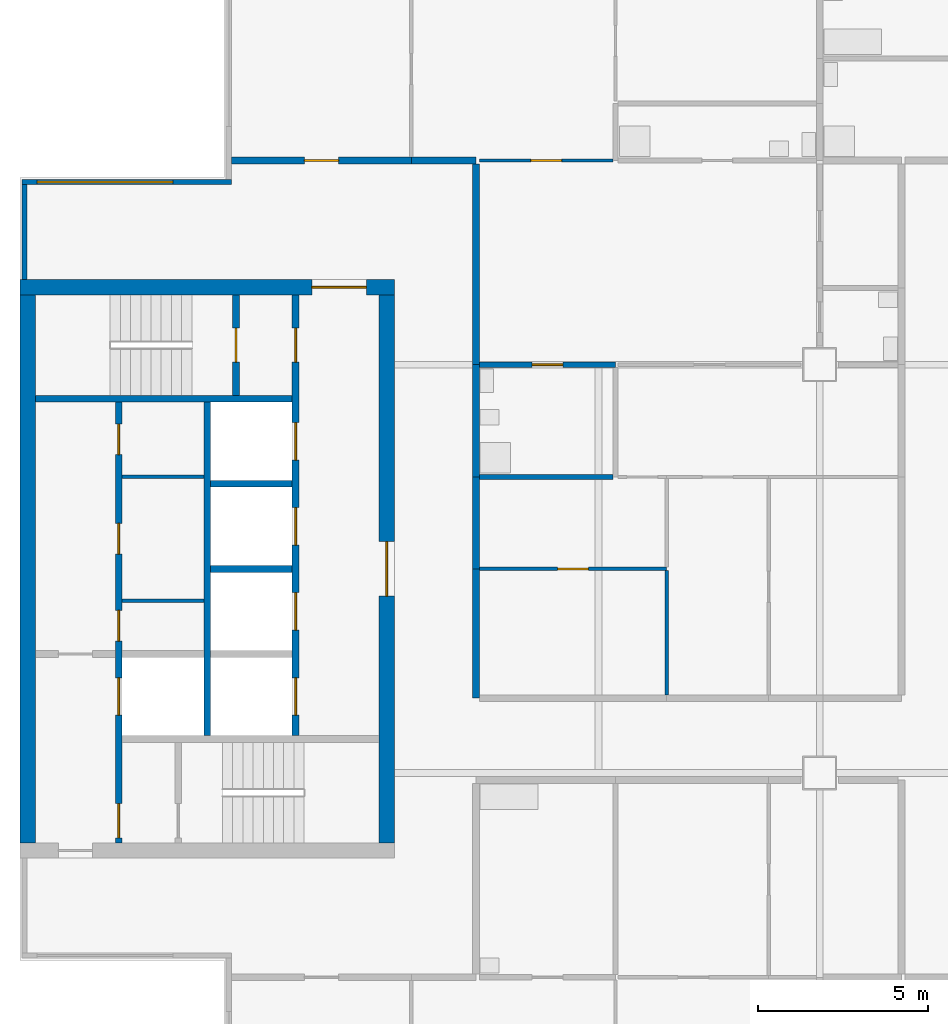
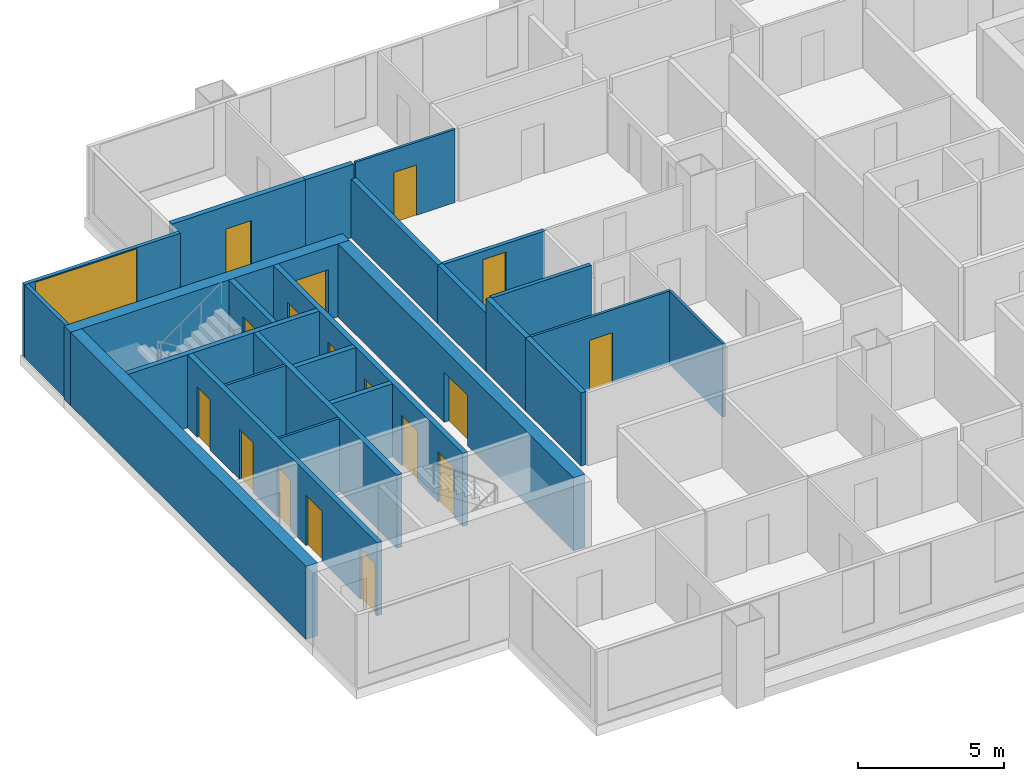
# One storey, part 3 of 9: 25 walls, 17 doors, 1 window, 18 openings.
"""IFC4 building model written with IfcOpenShell, lengths in metres."""

from ifc_helpers import new_model, si_unit, direction, frame, frame_2d, origin, place, context, subcontext, project, spatial, rectangle, extrude, material, layer, layer_set, type_object, element, fill, save


model = new_model("IFC4")

# Units and contexts
model_context = context("Model", 3, precision=1e-05, world=origin(), true_north=direction((0.0, 1.0)))
body_context = subcontext(model_context, "Body", "Model", "MODEL_VIEW")
ifc_project = project(units=[si_unit("LENGTHUNIT", "METRE"), si_unit("AREAUNIT", "SQUARE_METRE"), si_unit("VOLUMEUNIT", "CUBIC_METRE"), si_unit("PLANEANGLEUNIT", "RADIAN"), si_unit("MASSUNIT", "GRAM", prefix="KILO")], contexts=[model_context])

# Site, building, storey
site_placement = place(None, origin())
site = spatial("IfcSite", under=ifc_project, at=site_placement, CompositionType="ELEMENT")
building_placement = place(site_placement, origin())
building = spatial("IfcBuilding", under=site, at=building_placement, Name="Kitamizu Gate Tower and Museum", CompositionType="ELEMENT")
storey_placement = place(building_placement, frame((0.0, 0.0, 221.39990234375)))
storey = spatial("IfcBuildingStorey", under=building, at=storey_placement, Name="L59", CompositionType="ELEMENT", Elevation=221.39990234375)

# Wall, opening, door
ifc_material_1 = material(Name="Concrete Fc42", Category="concrete")
ifc_layer_1 = layer(ifc_material_1, 0.449951171875)
ifc_layer_set_1 = layer_set([ifc_layer_1], Name="Concrete Fc42")
wall_type_1 = type_object("IfcWallType", Name="Core wall 450", PredefinedType="SHEAR", material=ifc_layer_set_1)
wall_1_placement = place(storey_placement, frame((12.5, 38.27490234375, 0.0), z_axis=(0.0, 0.0, 1.0), x_axis=(1.0, 0.0, 0.0)))
wall_1 = element("IfcWall", 1, at=wall_1_placement, inside=storey, type_object=wall_type_1, Name="Core wall WN", PredefinedType="SHEAR", context=body_context, shape_type="SweptSolid", body=[
    extrude(rectangle(XDim=11.0, YDim=0.449951171875, at=frame_2d((5.5, 0.0))), origin(), (0.0, 0.0, 1.0), 3.050048828125),
])
opening_1_placement = place(wall_1_placement, frame((8.574951171875, 0.0, 0.0)))
opening_1 = element("IfcOpeningElement", 2, at=opening_1_placement, cuts=wall_1, Name="Opening L59-040", PredefinedType="OPENING", context=body_context, shape_type="SweptSolid", body=[
    extrude(rectangle(XDim=1.60009765625, YDim=2.10009765625, at=frame_2d((0.800048828125, 1.050048828125))), frame((0.0, 0.23486328125, 0.0), z_axis=(0.0, -1.0, 0.0), x_axis=(1.0, 0.0, 0.0)), (0.0, 0.0, 1.0), 0.469970703125),
])
ifc_material_2 = material(Name="Timber door set", Category="wood")
door_type_1 = type_object("IfcDoorType", Name="Entrance door 1600", OperationType="DOUBLE_DOOR_SINGLE_SWING", PredefinedType="DOOR", material=ifc_material_2)
door_1_placement = place(opening_1_placement, origin())
door_1 = element("IfcDoor", 3, at=door_1_placement, inside=storey, type_object=door_type_1, Name="Lobby door L59-040", OperationType="DOUBLE_DOOR_SINGLE_SWING", OverallHeight=2.10009765625, OverallWidth=1.60009765625, PredefinedType="DOOR", context=body_context, shape_type="SweptSolid", body=[
    extrude(rectangle(XDim=1.60009765625, YDim=2.10009765625, at=frame_2d((0.800048828125, 1.050048828125))), frame((0.0, 0.02490234375, 0.0), z_axis=(0.0, -1.0, 0.0), x_axis=(1.0, 0.0, 0.0)), (0.0, 0.0, 1.0), 0.050048828125),
])
fill(opening_1, door_1)

# Wall
wall_2_placement = place(storey_placement, frame((12.72509765625, 21.949951171875, 0.0), z_axis=(0.0, 0.0, 1.0), x_axis=(0.0, 1.0, 0.0)))
element("IfcWall", 4, at=wall_2_placement, inside=storey, type_object=wall_type_1, Name="Core wall WOUT", PredefinedType="SHEAR", context=body_context, shape_type="SweptSolid", body=[
    extrude(rectangle(XDim=16.10009765625, YDim=0.449951171875, at=frame_2d((8.050048828125, 0.0))), origin(), (0.0, 0.0, 1.0), 3.050048828125),
])

# Wall, opening, door
wall_3_placement = place(storey_placement, frame((23.27490234375, 21.949951171875, 0.0), z_axis=(0.0, 0.0, 1.0), x_axis=(0.0, 1.0, 0.0)))
wall_3 = element("IfcWall", 5, at=wall_3_placement, inside=storey, type_object=wall_type_1, Name="Core wall WARC", PredefinedType="SHEAR", context=body_context, shape_type="SweptSolid", body=[
    extrude(rectangle(XDim=16.10009765625, YDim=0.449951171875, at=frame_2d((8.050048828125, 0.0))), origin(), (0.0, 0.0, 1.0), 3.050048828125),
])
opening_2_placement = place(wall_3_placement, frame((7.25, 0.0, 0.0)))
opening_2 = element("IfcOpeningElement", 6, at=opening_2_placement, cuts=wall_3, Name="Opening L59-041", PredefinedType="OPENING", context=body_context, shape_type="SweptSolid", body=[
    extrude(rectangle(XDim=1.60009765625, YDim=2.10009765625, at=frame_2d((0.800048828125, 1.050048828125))), frame((0.0, 0.23486328125, 0.0), z_axis=(0.0, -1.0, 0.0), x_axis=(1.0, 0.0, 0.0)), (0.0, 0.0, 1.0), 0.469970703125),
])
door_2_placement = place(opening_2_placement, origin())
door_2 = element("IfcDoor", 7, at=door_2_placement, inside=storey, type_object=door_type_1, Name="Lobby door L59-041", OperationType="DOUBLE_DOOR_SINGLE_SWING", OverallHeight=2.10009765625, OverallWidth=1.60009765625, PredefinedType="DOOR", context=body_context, shape_type="SweptSolid", body=[
    extrude(rectangle(XDim=1.60009765625, YDim=2.10009765625, at=frame_2d((0.800048828125, 1.050048828125))), frame((0.0, 0.02490234375, 0.0), z_axis=(0.0, -1.0, 0.0), x_axis=(1.0, 0.0, 0.0)), (0.0, 0.0, 1.0), 0.050048828125),
])
fill(opening_2, door_2)

# Walls
ifc_material_3 = material(Name="Gypsum board on galvanised stud")
ifc_layer_2 = layer(ifc_material_3, 0.10009765625)
ifc_layer_set_2 = layer_set([ifc_layer_2], Name="Gypsum board on galvanised stud")
wall_type_2 = type_object("IfcWallType", Name="Partition 100", PredefinedType="PARTITIONING", material=ifc_layer_set_2)
for number, where, z_axis, x_axis, name in (
    (8, (15.5, 29.06005859375, 0.0), (0.0, 0.0, 1.0), (1.0, 0.0, 0.0), "Partition WPF1"),
    (9, (15.5, 32.7099609375, 0.0), (0.0, 0.0, 1.0), (1.0, 0.0, 0.0), "Partition WPF2"),
):
    element("IfcWall", number, at=place(storey_placement, frame(where, z_axis=z_axis, x_axis=x_axis)), inside=storey, type_object=wall_type_2, Name=name, PredefinedType="PARTITIONING", context=body_context, shape_type="SweptSolid", body=[
        extrude(rectangle(XDim=2.39990234375, YDim=0.10009765625, at=frame_2d((1.199951171875, 0.0))), origin(), (0.0, 0.0, 1.0), 3.050048828125),
    ])

# Wall, opening, door
ifc_material_4 = material(Name="Gypsum board on galvanised stud")
ifc_layer_3 = layer(ifc_material_4, 0.10009765625)
ifc_layer_set_3 = layer_set([ifc_layer_3], Name="Gypsum board on galvanised stud")
wall_type_3 = type_object("IfcWallType", Name="Partition 100 NOT RATED", PredefinedType="PARTITIONING", material=ifc_layer_set_3)
wall_4_placement = place(storey_placement, frame((26.0, 42.0, 0.0), z_axis=(0.0, 0.0, 1.0), x_axis=(1.0, 0.0, 0.0)))
wall_4 = element("IfcWall", 10, at=wall_4_placement, inside=storey, type_object=wall_type_3, Name="Partition L59-035", PredefinedType="PARTITIONING", context=body_context, shape_type="SweptSolid", body=[
    extrude(rectangle(XDim=3.925048828125, YDim=0.10009765625, at=frame_2d((1.96240234375, 0.0))), origin(), (0.0, 0.0, 1.0), 3.050048828125),
])
opening_3_placement = place(wall_4_placement, frame((1.512451171875, 0.0, 0.0)))
opening_3 = element("IfcOpeningElement", 11, at=opening_3_placement, cuts=wall_4, Name="Opening L59-014", PredefinedType="OPENING", context=body_context, shape_type="SweptSolid", body=[
    extrude(rectangle(XDim=0.89990234375, YDim=2.10009765625, at=frame_2d((0.449951171875, 1.050048828125))), frame((0.0, 0.06005859375, 0.0), z_axis=(0.0, -1.0, 0.0), x_axis=(1.0, 0.0, 0.0)), (0.0, 0.0, 1.0), 0.1201171875),
])
ifc_material_5 = material(Name="Timber door set", Category="wood")
door_type_2 = type_object("IfcDoorType", Name="Room door 900", OperationType="NOTDEFINED", PredefinedType="DOOR", material=ifc_material_5)
door_3_placement = place(opening_3_placement, origin())
door_3 = element("IfcDoor", 12, at=door_3_placement, inside=storey, type_object=door_type_2, Name="Door L59-014", OperationType="SINGLE_SWING_LEFT", OverallHeight=2.10009765625, OverallWidth=0.89990234375, PredefinedType="DOOR", context=body_context, shape_type="SweptSolid", body=[
    extrude(rectangle(XDim=0.89990234375, YDim=2.10009765625, at=frame_2d((0.449951171875, 1.050048828125))), frame((0.0, 0.02490234375, 0.0), z_axis=(0.0, -1.0, 0.0), x_axis=(1.0, 0.0, 0.0)), (0.0, 0.0, 1.0), 0.050048828125),
])
fill(opening_3, door_3)

wall_5_placement = place(storey_placement, frame((31.5, 30.0, 0.0), z_axis=(0.0, 0.0, 1.0), x_axis=(-1.0, 0.0, 0.0)))
wall_5 = element("IfcWall", 13, at=wall_5_placement, inside=storey, type_object=wall_type_3, Name="Partition L59-060", PredefinedType="PARTITIONING", context=body_context, shape_type="SweptSolid", body=[
    extrude(rectangle(XDim=5.5, YDim=0.10009765625, at=frame_2d((2.75, 0.0))), origin(), (0.0, 0.0, 1.0), 3.050048828125),
])
opening_4_placement = place(wall_5_placement, frame((2.300048828125, 0.0, 0.0)))
opening_4 = element("IfcOpeningElement", 14, at=opening_4_placement, cuts=wall_5, Name="Opening L59-024", PredefinedType="OPENING", context=body_context, shape_type="SweptSolid", body=[
    extrude(rectangle(XDim=0.89990234375, YDim=2.10009765625, at=frame_2d((0.449951171875, 1.050048828125))), frame((0.0, 0.06005859375, 0.0), z_axis=(0.0, -1.0, 0.0), x_axis=(1.0, 0.0, 0.0)), (0.0, 0.0, 1.0), 0.1201171875),
])
door_4_placement = place(opening_4_placement, frame((0.89990234375, 0.0, 0.0), x_axis=(-1.0, 0.0, 0.0)))
door_4 = element("IfcDoor", 15, at=door_4_placement, inside=storey, type_object=door_type_2, Name="Door L59-024", OperationType="SINGLE_SWING_LEFT", OverallHeight=2.10009765625, OverallWidth=0.89990234375, PredefinedType="DOOR", context=body_context, shape_type="SweptSolid", body=[
    extrude(rectangle(XDim=0.89990234375, YDim=2.10009765625, at=frame_2d((0.449951171875, 1.050048828125))), frame((0.0, 0.02490234375, 0.0), z_axis=(0.0, -1.0, 0.0), x_axis=(1.0, 0.0, 0.0)), (0.0, 0.0, 1.0), 0.050048828125),
])
fill(opening_4, door_4)

# Wall
wall_6_placement = place(storey_placement, frame((31.5, 26.300048828125, 0.0), z_axis=(0.0, 0.0, 1.0), x_axis=(0.0, 1.0, 0.0)))
element("IfcWall", 16, at=wall_6_placement, inside=storey, type_object=wall_type_3, Name="Partition L59-061", PredefinedType="PARTITIONING", context=body_context, shape_type="SweptSolid", body=[
    extrude(rectangle(XDim=3.64990234375, YDim=0.10009765625, at=frame_2d((1.824951171875, 0.0))), origin(), (0.0, 0.0, 1.0), 3.050048828125),
])

# Wall, opening, door
ifc_material_6 = material(Name="Gypsum board on galvanised stud")
ifc_layer_4 = layer(ifc_material_6, 0.14990234375)
ifc_layer_set_4 = layer_set([ifc_layer_4], Name="Gypsum board on galvanised stud")
wall_type_4 = type_object("IfcWallType", Name="Partition 150", PredefinedType="PARTITIONING", material=ifc_layer_set_4)
wall_7_placement = place(storey_placement, frame((26.0, 36.0, 0.0), z_axis=(0.0, 0.0, 1.0), x_axis=(1.0, 0.0, 0.0)))
wall_7 = element("IfcWall", 17, at=wall_7_placement, inside=storey, type_object=wall_type_4, Name="Partition L59-044", PredefinedType="PARTITIONING", context=body_context, shape_type="SweptSolid", body=[
    extrude(rectangle(XDim=4.0, YDim=0.14990234375, at=frame_2d((2.0, 0.0))), origin(), (0.0, 0.0, 1.0), 2.4501953125),
])
opening_5_placement = place(wall_7_placement, frame((1.550048828125, 0.0, 0.0)))
opening_5 = element("IfcOpeningElement", 18, at=opening_5_placement, cuts=wall_7, Name="Opening L59-016", PredefinedType="OPENING", context=body_context, shape_type="SweptSolid", body=[
    extrude(rectangle(XDim=0.89990234375, YDim=2.10009765625, at=frame_2d((0.449951171875, 1.050048828125))), frame((0.0, 0.0849609375, 0.0), z_axis=(0.0, -1.0, 0.0), x_axis=(1.0, 0.0, 0.0)), (0.0, 0.0, 1.0), 0.169921875),
])
ifc_material_7 = material(Name="Timber door set", Category="wood")
door_type_3 = type_object("IfcDoorType", Name="Bathroom door 900", OperationType="NOTDEFINED", PredefinedType="DOOR", material=ifc_material_7)
door_5_placement = place(opening_5_placement, frame((0.89990234375, 0.0, 0.0), x_axis=(-1.0, 0.0, 0.0)))
door_5 = element("IfcDoor", 19, at=door_5_placement, inside=storey, type_object=door_type_3, Name="Bathroom door L59-016", OperationType="SINGLE_SWING_RIGHT", OverallHeight=2.10009765625, OverallWidth=0.89990234375, PredefinedType="DOOR", context=body_context, shape_type="SweptSolid", body=[
    extrude(rectangle(XDim=0.89990234375, YDim=2.10009765625, at=frame_2d((0.449951171875, 1.050048828125))), frame((0.0, 0.02490234375, 0.0), z_axis=(0.0, -1.0, 0.0), x_axis=(1.0, 0.0, 0.0)), (0.0, 0.0, 1.0), 0.050048828125),
])
fill(opening_5, door_5)

# Wall
wall_8_placement = place(storey_placement, frame((26.0, 32.699951171875, 0.0), z_axis=(0.0, 0.0, 1.0), x_axis=(1.0, 0.0, 0.0)))
element("IfcWall", 20, at=wall_8_placement, inside=storey, type_object=wall_type_4, Name="Partition L59-053", PredefinedType="PARTITIONING", context=body_context, shape_type="SweptSolid", body=[
    extrude(rectangle(XDim=3.925048828125, YDim=0.14990234375, at=frame_2d((1.96240234375, 0.0))), origin(), (0.0, 0.0, 1.0), 3.050048828125),
])

# Wall, opening, door
ifc_material_8 = material(Name="Gypsum board on galvanised stud")
ifc_layer_5 = layer(ifc_material_8, 0.199951171875)
ifc_layer_set_5 = layer_set([ifc_layer_5], Name="Gypsum board on galvanised stud")
wall_type_5 = type_object("IfcWallType", Name="Partition 200", PredefinedType="PARTITIONING", material=ifc_layer_set_5)
wall_9_placement = place(storey_placement, frame((18.719970703125, 42.0, 0.0), z_axis=(0.0, 0.0, 1.0), x_axis=(1.0, 0.0, 0.0)))
wall_9 = element("IfcWall", 21, at=wall_9_placement, inside=storey, type_object=wall_type_5, Name="Partition L59-032", PredefinedType="PARTITIONING", context=body_context, shape_type="SweptSolid", body=[
    extrude(rectangle(XDim=5.280029296875, YDim=0.199951171875, at=frame_2d((2.64013671875, 0.0))), origin(), (0.0, 0.0, 1.0), 3.050048828125),
])
opening_6_placement = place(wall_9_placement, frame((2.139892578125, 0.0, 0.0)))
opening_6 = element("IfcOpeningElement", 22, at=opening_6_placement, cuts=wall_9, Name="Opening L59-012", PredefinedType="OPENING", context=body_context, shape_type="SweptSolid", body=[
    extrude(rectangle(XDim=1.0, YDim=2.10009765625, at=frame_2d((0.5, 1.050048828125))), frame((0.0, 0.10986328125, 0.0), z_axis=(0.0, -1.0, 0.0), x_axis=(1.0, 0.0, 0.0)), (0.0, 0.0, 1.0), 0.219970703125),
])
ifc_material_9 = material(Name="Timber door set", Category="wood")
door_type_4 = type_object("IfcDoorType", Name="Flat entrance door 1000", OperationType="NOTDEFINED", PredefinedType="DOOR", material=ifc_material_9)
door_6_placement = place(opening_6_placement, origin())
door_6 = element("IfcDoor", 23, at=door_6_placement, inside=storey, type_object=door_type_4, Name="Flat entrance door L59-012", OperationType="SINGLE_SWING_LEFT", OverallHeight=2.10009765625, OverallWidth=1.0, PredefinedType="DOOR", context=body_context, shape_type="SweptSolid", body=[
    extrude(rectangle(XDim=1.0, YDim=2.10009765625, at=frame_2d((0.5, 1.050048828125))), frame((0.0, 0.02490234375, 0.0), z_axis=(0.0, -1.0, 0.0), x_axis=(1.0, 0.0, 0.0)), (0.0, 0.0, 1.0), 0.050048828125),
])
fill(opening_6, door_6)

# Walls
wall_10_placement = place(storey_placement, frame((24.0, 42.0, 0.0), z_axis=(0.0, 0.0, 1.0), x_axis=(1.0, 0.0, 0.0)))
element("IfcWall", 24, at=wall_10_placement, inside=storey, type_object=wall_type_5, Name="Partition L59-036", PredefinedType="PARTITIONING", context=body_context, shape_type="SweptSolid", body=[
    extrude(rectangle(XDim=1.89990234375, YDim=0.199951171875, at=frame_2d((0.949951171875, 0.0))), origin(), (0.0, 0.0, 1.0), 3.050048828125),
])
wall_11_placement = place(storey_placement, frame((25.89990234375, 41.89990234375, 0.0), z_axis=(0.0, 0.0, 1.0), x_axis=(0.0, -1.0, 0.0)))
element("IfcWall", 25, at=wall_11_placement, inside=storey, type_object=wall_type_5, Name="Partition L59-046", PredefinedType="PARTITIONING", context=body_context, shape_type="SweptSolid", body=[
    extrude(rectangle(XDim=5.89990234375, YDim=0.199951171875, at=frame_2d((2.949951171875, 0.0))), origin(), (0.0, 0.0, 1.0), 2.4501953125),
])
wall_12_placement = place(storey_placement, frame((25.89990234375, 36.0, 0.0), z_axis=(0.0, 0.0, 1.0), x_axis=(0.0, -1.0, 0.0)))
element("IfcWall", 26, at=wall_12_placement, inside=storey, type_object=wall_type_5, Name="Partition L59-054", PredefinedType="PARTITIONING", context=body_context, shape_type="SweptSolid", body=[
    extrude(rectangle(XDim=3.300048828125, YDim=0.199951171875, at=frame_2d((1.64990234375, 0.0))), origin(), (0.0, 0.0, 1.0), 2.4501953125),
])
wall_13_placement = place(storey_placement, frame((25.89990234375, 30.0, 0.0), z_axis=(0.0, 0.0, 1.0), x_axis=(0.0, -1.0, 0.0)))
element("IfcWall", 27, at=wall_13_placement, inside=storey, type_object=wall_type_5, Name="Partition L59-062", PredefinedType="PARTITIONING", context=body_context, shape_type="SweptSolid", body=[
    extrude(rectangle(XDim=3.800048828125, YDim=0.199951171875, at=frame_2d((1.89990234375, 0.0))), origin(), (0.0, 0.0, 1.0), 3.050048828125),
])
wall_14_placement = place(storey_placement, frame((25.89990234375, 32.699951171875, 0.0), z_axis=(0.0, 0.0, 1.0), x_axis=(0.0, -1.0, 0.0)))
element("IfcWall", 28, at=wall_14_placement, inside=storey, type_object=wall_type_5, Name="Partition L59-065", PredefinedType="PARTITIONING", context=body_context, shape_type="SweptSolid", body=[
    extrude(rectangle(XDim=2.699951171875, YDim=0.199951171875, at=frame_2d((1.35009765625, 0.0))), origin(), (0.0, 0.0, 1.0), 3.050048828125),
])

# Wall, openings, doors
ifc_material_10 = material(Name="Concrete Fc42", Category="concrete")
ifc_layer_6 = layer(ifc_material_10, 0.199951171875)
ifc_layer_set_6 = layer_set([ifc_layer_6], Name="Concrete Fc42")
wall_type_6 = type_object("IfcWallType", Name="Shaft wall 200", PredefinedType="SOLIDWALL", material=ifc_layer_set_6)
wall_15_placement = place(storey_placement, frame((15.39990234375, 21.949951171875, 0.0), z_axis=(0.0, 0.0, 1.0), x_axis=(0.0, 1.0, 0.0)))
wall_15 = element("IfcWall", 29, at=wall_15_placement, inside=storey, type_object=wall_type_6, Name="Shaft wall WWEST", PredefinedType="SOLIDWALL", context=body_context, shape_type="SweptSolid", body=[
    extrude(rectangle(XDim=12.949951171875, YDim=0.199951171875, at=frame_2d((6.47509765625, 0.0))), origin(), (0.0, 0.0, 1.0), 3.050048828125),
])
opening_7_placement = place(wall_15_placement, frame((3.75, 0.0, 0.0)))
opening_7 = element("IfcOpeningElement", 30, at=opening_7_placement, cuts=wall_15, Name="Opening LD", PredefinedType="OPENING", context=body_context, shape_type="SweptSolid", body=[
    extrude(rectangle(XDim=1.10009765625, YDim=2.10009765625, at=frame_2d((0.550048828125, 1.050048828125))), frame((0.0, 0.10986328125, 0.0), z_axis=(0.0, -1.0, 0.0), x_axis=(1.0, 0.0, 0.0)), (0.0, 0.0, 1.0), 0.219970703125),
])
opening_8_placement = place(wall_15_placement, frame((0.14990234375, 0.0, 0.0)))
opening_8 = element("IfcOpeningElement", 31, at=opening_8_placement, cuts=wall_15, Name="Opening L59-035", PredefinedType="OPENING", context=body_context, shape_type="SweptSolid", body=[
    extrude(rectangle(XDim=1.0, YDim=2.10009765625, at=frame_2d((0.5, 1.050048828125))), frame((0.0, 0.10986328125, 0.0), z_axis=(0.0, -1.0, 0.0), x_axis=(1.0, 0.0, 0.0)), (0.0, 0.0, 1.0), 0.219970703125),
])
opening_9_placement = place(wall_15_placement, frame((5.929931640625, 0.0, 0.0)))
opening_9 = element("IfcOpeningElement", 32, at=opening_9_placement, cuts=wall_15, Name="Opening L59-042", PredefinedType="OPENING", context=body_context, shape_type="SweptSolid", body=[
    extrude(rectangle(XDim=0.89990234375, YDim=2.10009765625, at=frame_2d((0.449951171875, 1.050048828125))), frame((0.0, 0.10986328125, 0.0), z_axis=(0.0, -1.0, 0.0), x_axis=(1.0, 0.0, 0.0)), (0.0, 0.0, 1.0), 0.219970703125),
])
opening_10_placement = place(wall_15_placement, frame((8.485107421875, 0.0, 0.0)))
opening_10 = element("IfcOpeningElement", 33, at=opening_10_placement, cuts=wall_15, Name="Opening L59-043", PredefinedType="OPENING", context=body_context, shape_type="SweptSolid", body=[
    extrude(rectangle(XDim=0.89990234375, YDim=2.10009765625, at=frame_2d((0.449951171875, 1.050048828125))), frame((0.0, 0.10986328125, 0.0), z_axis=(0.0, -1.0, 0.0), x_axis=(1.0, 0.0, 0.0)), (0.0, 0.0, 1.0), 0.219970703125),
])
opening_11_placement = place(wall_15_placement, frame((11.405029296875, 0.0, 0.0)))
opening_11 = element("IfcOpeningElement", 34, at=opening_11_placement, cuts=wall_15, Name="Opening L59-044", PredefinedType="OPENING", context=body_context, shape_type="SweptSolid", body=[
    extrude(rectangle(XDim=0.89990234375, YDim=2.10009765625, at=frame_2d((0.449951171875, 1.050048828125))), frame((0.0, 0.10986328125, 0.0), z_axis=(0.0, -1.0, 0.0), x_axis=(1.0, 0.0, 0.0)), (0.0, 0.0, 1.0), 0.219970703125),
])
ifc_material_11 = material(Name="Hollow metal door set")
door_type_5 = type_object("IfcDoorType", Name="Fire door 1000", OperationType="NOTDEFINED", PredefinedType="DOOR", material=ifc_material_11)
door_7_placement = place(opening_8_placement, frame((1.0, 0.0, 0.0), x_axis=(-1.0, 0.0, 0.0)))
door_7 = element("IfcDoor", 35, at=door_7_placement, inside=storey, type_object=door_type_5, Name="Stair lobby door L59-035", OperationType="SINGLE_SWING_LEFT", OverallHeight=2.10009765625, OverallWidth=1.0, PredefinedType="DOOR", context=body_context, shape_type="SweptSolid", body=[
    extrude(rectangle(XDim=1.0, YDim=2.10009765625, at=frame_2d((0.5, 1.050048828125))), frame((0.0, 0.02490234375, 0.0), z_axis=(0.0, -1.0, 0.0), x_axis=(1.0, 0.0, 0.0)), (0.0, 0.0, 1.0), 0.050048828125),
])
fill(opening_8, door_7)
ifc_material_12 = material(Name="Hollow metal door set")
door_type_6 = type_object("IfcDoorType", Name="Landing door 1100", OperationType="SLIDING_TO_LEFT", PredefinedType="DOOR", material=ifc_material_12)
door_8_placement = place(opening_7_placement, origin())
door_8 = element("IfcDoor", 36, at=door_8_placement, inside=storey, type_object=door_type_6, Name="Landing door WFF1", OperationType="SLIDING_TO_LEFT", OverallHeight=2.10009765625, OverallWidth=1.10009765625, PredefinedType="DOOR", context=body_context, shape_type="SweptSolid", body=[
    extrude(rectangle(XDim=1.10009765625, YDim=2.10009765625, at=frame_2d((0.550048828125, 1.050048828125))), frame((0.0, 0.02490234375, 0.0), z_axis=(0.0, -1.0, 0.0), x_axis=(1.0, 0.0, 0.0)), (0.0, 0.0, 1.0), 0.050048828125),
])
fill(opening_7, door_8)
ifc_material_13 = material(Name="Timber door set", Category="wood")
door_type_7 = type_object("IfcDoorType", Name="Service door 900", OperationType="NOTDEFINED", PredefinedType="DOOR", material=ifc_material_13)
door_9_placement = place(opening_9_placement, frame((0.89990234375, 0.0, 0.0), x_axis=(-1.0, 0.0, 0.0)))
door_9 = element("IfcDoor", 37, at=door_9_placement, inside=storey, type_object=door_type_7, Name="Service door L59-042", OperationType="SINGLE_SWING_LEFT", OverallHeight=2.10009765625, OverallWidth=0.89990234375, PredefinedType="DOOR", context=body_context, shape_type="SweptSolid", body=[
    extrude(rectangle(XDim=0.89990234375, YDim=2.10009765625, at=frame_2d((0.449951171875, 1.050048828125))), frame((0.0, 0.02490234375, 0.0), z_axis=(0.0, -1.0, 0.0), x_axis=(1.0, 0.0, 0.0)), (0.0, 0.0, 1.0), 0.050048828125),
])
fill(opening_9, door_9)
door_10_placement = place(opening_10_placement, frame((0.89990234375, 0.0, 0.0), x_axis=(-1.0, 0.0, 0.0)))
door_10 = element("IfcDoor", 38, at=door_10_placement, inside=storey, type_object=door_type_7, Name="Service door L59-043", OperationType="SINGLE_SWING_RIGHT", OverallHeight=2.10009765625, OverallWidth=0.89990234375, PredefinedType="DOOR", context=body_context, shape_type="SweptSolid", body=[
    extrude(rectangle(XDim=0.89990234375, YDim=2.10009765625, at=frame_2d((0.449951171875, 1.050048828125))), frame((0.0, 0.02490234375, 0.0), z_axis=(0.0, -1.0, 0.0), x_axis=(1.0, 0.0, 0.0)), (0.0, 0.0, 1.0), 0.050048828125),
])
fill(opening_10, door_10)
door_11_placement = place(opening_11_placement, frame((0.89990234375, 0.0, 0.0), x_axis=(-1.0, 0.0, 0.0)))
door_11 = element("IfcDoor", 39, at=door_11_placement, inside=storey, type_object=door_type_7, Name="Service door L59-044", OperationType="SINGLE_SWING_LEFT", OverallHeight=2.10009765625, OverallWidth=0.89990234375, PredefinedType="DOOR", context=body_context, shape_type="SweptSolid", body=[
    extrude(rectangle(XDim=0.89990234375, YDim=2.10009765625, at=frame_2d((0.449951171875, 1.050048828125))), frame((0.0, 0.02490234375, 0.0), z_axis=(0.0, -1.0, 0.0), x_axis=(1.0, 0.0, 0.0)), (0.0, 0.0, 1.0), 0.050048828125),
])
fill(opening_11, door_11)

wall_16_placement = place(storey_placement, frame((20.60009765625, 25.10009765625, 0.0), z_axis=(0.0, 0.0, 1.0), x_axis=(0.0, 1.0, 0.0)))
wall_16 = element("IfcWall", 40, at=wall_16_placement, inside=storey, type_object=wall_type_6, Name="Shaft wall WEAST", PredefinedType="SOLIDWALL", context=body_context, shape_type="SweptSolid", body=[
    extrude(rectangle(XDim=12.949951171875, YDim=0.199951171875, at=frame_2d((6.47509765625, 0.0))), origin(), (0.0, 0.0, 1.0), 3.050048828125),
])
opening_12_placement = place(wall_16_placement, frame((0.60009765625, 0.0, 0.0)))
opening_12 = element("IfcOpeningElement", 41, at=opening_12_placement, cuts=wall_16, Name="Opening LD", PredefinedType="OPENING", context=body_context, shape_type="SweptSolid", body=[
    extrude(rectangle(XDim=1.10009765625, YDim=2.10009765625, at=frame_2d((0.550048828125, 1.050048828125))), frame((0.0, 0.10986328125, 0.0), z_axis=(0.0, -1.0, 0.0), x_axis=(1.0, 0.0, 0.0)), (0.0, 0.0, 1.0), 0.219970703125),
])
opening_13_placement = place(wall_16_placement, frame((3.10009765625, 0.0, 0.0)))
opening_13 = element("IfcOpeningElement", 42, at=opening_13_placement, cuts=wall_16, Name="Opening LD", PredefinedType="OPENING", context=body_context, shape_type="SweptSolid", body=[
    extrude(rectangle(XDim=1.10009765625, YDim=2.10009765625, at=frame_2d((0.550048828125, 1.050048828125))), frame((0.0, 0.10986328125, 0.0), z_axis=(0.0, -1.0, 0.0), x_axis=(1.0, 0.0, 0.0)), (0.0, 0.0, 1.0), 0.219970703125),
])
opening_14_placement = place(wall_16_placement, frame((5.60009765625, 0.0, 0.0)))
opening_14 = element("IfcOpeningElement", 43, at=opening_14_placement, cuts=wall_16, Name="Opening LD", PredefinedType="OPENING", context=body_context, shape_type="SweptSolid", body=[
    extrude(rectangle(XDim=1.10009765625, YDim=2.10009765625, at=frame_2d((0.550048828125, 1.050048828125))), frame((0.0, 0.10986328125, 0.0), z_axis=(0.0, -1.0, 0.0), x_axis=(1.0, 0.0, 0.0)), (0.0, 0.0, 1.0), 0.219970703125),
])
opening_15_placement = place(wall_16_placement, frame((8.10009765625, 0.0, 0.0)))
opening_15 = element("IfcOpeningElement", 44, at=opening_15_placement, cuts=wall_16, Name="Opening LD", PredefinedType="OPENING", context=body_context, shape_type="SweptSolid", body=[
    extrude(rectangle(XDim=1.10009765625, YDim=2.10009765625, at=frame_2d((0.550048828125, 1.050048828125))), frame((0.0, 0.10986328125, 0.0), z_axis=(0.0, -1.0, 0.0), x_axis=(1.0, 0.0, 0.0)), (0.0, 0.0, 1.0), 0.219970703125),
])
opening_16_placement = place(wall_16_placement, frame((10.97509765625, 0.0, 0.0)))
opening_16 = element("IfcOpeningElement", 45, at=opening_16_placement, cuts=wall_16, Name="Opening L59-036", PredefinedType="OPENING", context=body_context, shape_type="SweptSolid", body=[
    extrude(rectangle(XDim=1.0, YDim=2.10009765625, at=frame_2d((0.5, 1.050048828125))), frame((0.0, 0.10986328125, 0.0), z_axis=(0.0, -1.0, 0.0), x_axis=(1.0, 0.0, 0.0)), (0.0, 0.0, 1.0), 0.219970703125),
])
door_12_placement = place(opening_16_placement, origin())
door_12 = element("IfcDoor", 46, at=door_12_placement, inside=storey, type_object=door_type_5, Name="Stair lobby door L59-036", OperationType="SINGLE_SWING_RIGHT", OverallHeight=2.10009765625, OverallWidth=1.0, PredefinedType="DOOR", context=body_context, shape_type="SweptSolid", body=[
    extrude(rectangle(XDim=1.0, YDim=2.10009765625, at=frame_2d((0.5, 1.050048828125))), frame((0.0, 0.02490234375, 0.0), z_axis=(0.0, -1.0, 0.0), x_axis=(1.0, 0.0, 0.0)), (0.0, 0.0, 1.0), 0.050048828125),
])
fill(opening_16, door_12)
door_13_placement = place(opening_12_placement, origin())
door_13 = element("IfcDoor", 47, at=door_13_placement, inside=storey, type_object=door_type_6, Name="Landing door WSV1", OperationType="SLIDING_TO_LEFT", OverallHeight=2.10009765625, OverallWidth=1.10009765625, PredefinedType="DOOR", context=body_context, shape_type="SweptSolid", body=[
    extrude(rectangle(XDim=1.10009765625, YDim=2.10009765625, at=frame_2d((0.550048828125, 1.050048828125))), frame((0.0, 0.02490234375, 0.0), z_axis=(0.0, -1.0, 0.0), x_axis=(1.0, 0.0, 0.0)), (0.0, 0.0, 1.0), 0.050048828125),
])
fill(opening_12, door_13)
door_14_placement = place(opening_13_placement, origin())
door_14 = element("IfcDoor", 48, at=door_14_placement, inside=storey, type_object=door_type_6, Name="Landing door WH1", OperationType="SLIDING_TO_LEFT", OverallHeight=2.10009765625, OverallWidth=1.10009765625, PredefinedType="DOOR", context=body_context, shape_type="SweptSolid", body=[
    extrude(rectangle(XDim=1.10009765625, YDim=2.10009765625, at=frame_2d((0.550048828125, 1.050048828125))), frame((0.0, 0.02490234375, 0.0), z_axis=(0.0, -1.0, 0.0), x_axis=(1.0, 0.0, 0.0)), (0.0, 0.0, 1.0), 0.050048828125),
])
fill(opening_13, door_14)
door_15_placement = place(opening_14_placement, origin())
door_15 = element("IfcDoor", 49, at=door_15_placement, inside=storey, type_object=door_type_6, Name="Landing door WH2", OperationType="SLIDING_TO_LEFT", OverallHeight=2.10009765625, OverallWidth=1.10009765625, PredefinedType="DOOR", context=body_context, shape_type="SweptSolid", body=[
    extrude(rectangle(XDim=1.10009765625, YDim=2.10009765625, at=frame_2d((0.550048828125, 1.050048828125))), frame((0.0, 0.02490234375, 0.0), z_axis=(0.0, -1.0, 0.0), x_axis=(1.0, 0.0, 0.0)), (0.0, 0.0, 1.0), 0.050048828125),
])
fill(opening_14, door_15)
door_16_placement = place(opening_15_placement, origin())
door_16 = element("IfcDoor", 50, at=door_16_placement, inside=storey, type_object=door_type_6, Name="Landing door WH3", OperationType="SLIDING_TO_LEFT", OverallHeight=2.10009765625, OverallWidth=1.10009765625, PredefinedType="DOOR", context=body_context, shape_type="SweptSolid", body=[
    extrude(rectangle(XDim=1.10009765625, YDim=2.10009765625, at=frame_2d((0.550048828125, 1.050048828125))), frame((0.0, 0.02490234375, 0.0), z_axis=(0.0, -1.0, 0.0), x_axis=(1.0, 0.0, 0.0)), (0.0, 0.0, 1.0), 0.050048828125),
])
fill(opening_15, door_16)

# Walls
wall_17_placement = place(storey_placement, frame((18.0, 25.10009765625, 0.0), z_axis=(0.0, 0.0, 1.0), x_axis=(0.0, 1.0, 0.0)))
element("IfcWall", 51, at=wall_17_placement, inside=storey, type_object=wall_type_6, Name="Shaft wall WMID", PredefinedType="SOLIDWALL", context=body_context, shape_type="SweptSolid", body=[
    extrude(rectangle(XDim=9.7998046875, YDim=0.199951171875, at=frame_2d((4.89990234375, 0.0))), origin(), (0.0, 0.0, 1.0), 3.050048828125),
])
wall_18_placement = place(storey_placement, frame((12.949951171875, 35.0, 0.0), z_axis=(0.0, 0.0, 1.0), x_axis=(1.0, 0.0, 0.0)))
element("IfcWall", 52, at=wall_18_placement, inside=storey, type_object=wall_type_6, Name="Shaft wall WNB", PredefinedType="SOLIDWALL", context=body_context, shape_type="SweptSolid", body=[
    extrude(rectangle(XDim=7.550048828125, YDim=0.199951171875, at=frame_2d((3.77490234375, 0.0))), origin(), (0.0, 0.0, 1.0), 3.050048828125),
])

# Wall, opening, door
wall_19_placement = place(storey_placement, frame((18.85009765625, 35.10009765625, 0.0), z_axis=(0.0, 0.0, 1.0), x_axis=(0.0, 1.0, 0.0)))
wall_19 = element("IfcWall", 53, at=wall_19_placement, inside=storey, type_object=wall_type_6, Name="Shaft wall WNZ", PredefinedType="SOLIDWALL", context=body_context, shape_type="SweptSolid", body=[
    extrude(rectangle(XDim=2.949951171875, YDim=0.199951171875, at=frame_2d((1.47509765625, 0.0))), origin(), (0.0, 0.0, 1.0), 3.050048828125),
])
opening_17_placement = place(wall_19_placement, frame((0.97509765625, 0.0, 0.0)))
opening_17 = element("IfcOpeningElement", 54, at=opening_17_placement, cuts=wall_19, Name="Opening L59-037", PredefinedType="OPENING", context=body_context, shape_type="SweptSolid", body=[
    extrude(rectangle(XDim=1.0, YDim=2.10009765625, at=frame_2d((0.5, 1.050048828125))), frame((0.0, 0.10986328125, 0.0), z_axis=(0.0, -1.0, 0.0), x_axis=(1.0, 0.0, 0.0)), (0.0, 0.0, 1.0), 0.219970703125),
])
door_17_placement = place(opening_17_placement, origin())
door_17 = element("IfcDoor", 55, at=door_17_placement, inside=storey, type_object=door_type_5, Name="Stair door L59-037", OperationType="SINGLE_SWING_LEFT", OverallHeight=2.10009765625, OverallWidth=1.0, PredefinedType="DOOR", context=body_context, shape_type="SweptSolid", body=[
    extrude(rectangle(XDim=1.0, YDim=2.10009765625, at=frame_2d((0.5, 1.050048828125))), frame((0.0, 0.02490234375, 0.0), z_axis=(0.0, -1.0, 0.0), x_axis=(1.0, 0.0, 0.0)), (0.0, 0.0, 1.0), 0.050048828125),
])
fill(opening_17, door_17)

# Walls
for number, where, z_axis, x_axis, name in (
    (56, (18.10009765625, 30.0, 0.0), (0.0, 0.0, 1.0), (1.0, 0.0, 0.0), "Shaft wall WDVE1"),
    (57, (18.10009765625, 32.5, 0.0), (0.0, 0.0, 1.0), (1.0, 0.0, 0.0), "Shaft wall WDVE2"),
):
    element("IfcWall", number, at=place(storey_placement, frame(where, z_axis=z_axis, x_axis=x_axis)), inside=storey, type_object=wall_type_6, Name=name, PredefinedType="SOLIDWALL", context=body_context, shape_type="SweptSolid", body=[
        extrude(rectangle(XDim=2.39990234375, YDim=0.199951171875, at=frame_2d((1.199951171875, 0.0))), origin(), (0.0, 0.0, 1.0), 3.050048828125),
    ])

# Wall, opening, window
ifc_material_14 = material(Name="Bronze anodised aluminium frame with insulated spandrel and tinted glass", Category="aluminium")
ifc_layer_7 = layer(ifc_material_14, 0.14990234375)
ifc_layer_set_7 = layer_set([ifc_layer_7], Name="Bronze anodised aluminium frame with insulated spandrel and tinted glass")
wall_type_7 = type_object("IfcWallType", Name="WINDOW WALL 150 BRONZE FRAME EI 30", PredefinedType="ELEMENTEDWALL", material=ifc_layer_set_7)
wall_20_placement = place(storey_placement, frame((12.56005859375, 41.364990234375, 0.0), z_axis=(0.0, 0.0, 1.0), x_axis=(1.0, 0.0, 0.0)))
wall_20 = element("IfcWall", 58, at=wall_20_placement, inside=storey, type_object=wall_type_7, Name="Window wall north L59", PredefinedType="ELEMENTEDWALL", context=body_context, shape_type="SweptSolid", body=[
    extrude(rectangle(XDim=6.14990234375, YDim=0.14990234375, at=frame_2d((3.074951171875, 0.0))), origin(), (0.0, 0.0, 1.0), 3.050048828125),
])
opening_18_placement = place(wall_20_placement, frame((0.43994140625, 0.0, 0.449951171875)))
opening_18 = element("IfcOpeningElement", 59, at=opening_18_placement, cuts=wall_20, Name="Opening W16", PredefinedType="OPENING", context=body_context, shape_type="SweptSolid", body=[
    extrude(rectangle(XDim=4.0, YDim=2.550048828125, at=frame_2d((2.0, 1.27490234375))), frame((0.0, 0.0849609375, 0.0), z_axis=(0.0, -1.0, 0.0), x_axis=(1.0, 0.0, 0.0)), (0.0, 0.0, 1.0), 0.169921875),
])
ifc_material_15 = material(Name="Bronze anodised aluminium frame, tinted triple glazing", Category="aluminium")
window_type = type_object("IfcWindowType", Name="WINDOW 4000 x 2550 SILL 450", PartitioningType="SINGLE_PANEL", PredefinedType="WINDOW", material=ifc_material_15)
window_placement = place(opening_18_placement, origin())
window = element("IfcWindow", 60, at=window_placement, inside=storey, type_object=window_type, Name="Window W16 L59", OverallHeight=2.550048828125, OverallWidth=4.0, PartitioningType="SINGLE_PANEL", PredefinedType="WINDOW", context=body_context, shape_type="SweptSolid", body=[
    extrude(rectangle(XDim=4.0, YDim=2.550048828125, at=frame_2d((2.0, 1.27490234375))), frame((0.0, 0.030029296875, 0.0), z_axis=(0.0, -1.0, 0.0), x_axis=(1.0, 0.0, 0.0)), (0.0, 0.0, 1.0), 0.06005859375),
])
fill(opening_18, window)

# Wall
wall_21_placement = place(storey_placement, frame((12.635009765625, 38.5, 0.0), z_axis=(0.0, 0.0, 1.0), x_axis=(0.0, 1.0, 0.0)))
element("IfcWall", 61, at=wall_21_placement, inside=storey, type_object=wall_type_7, Name="Window wall west L59", PredefinedType="ELEMENTEDWALL", context=body_context, shape_type="SweptSolid", body=[
    extrude(rectangle(XDim=2.7900390625, YDim=0.14990234375, at=frame_2d((1.39501953125, 0.0))), origin(), (0.0, 0.0, 1.0), 3.050048828125),
])

save(model, "model.ifc")
